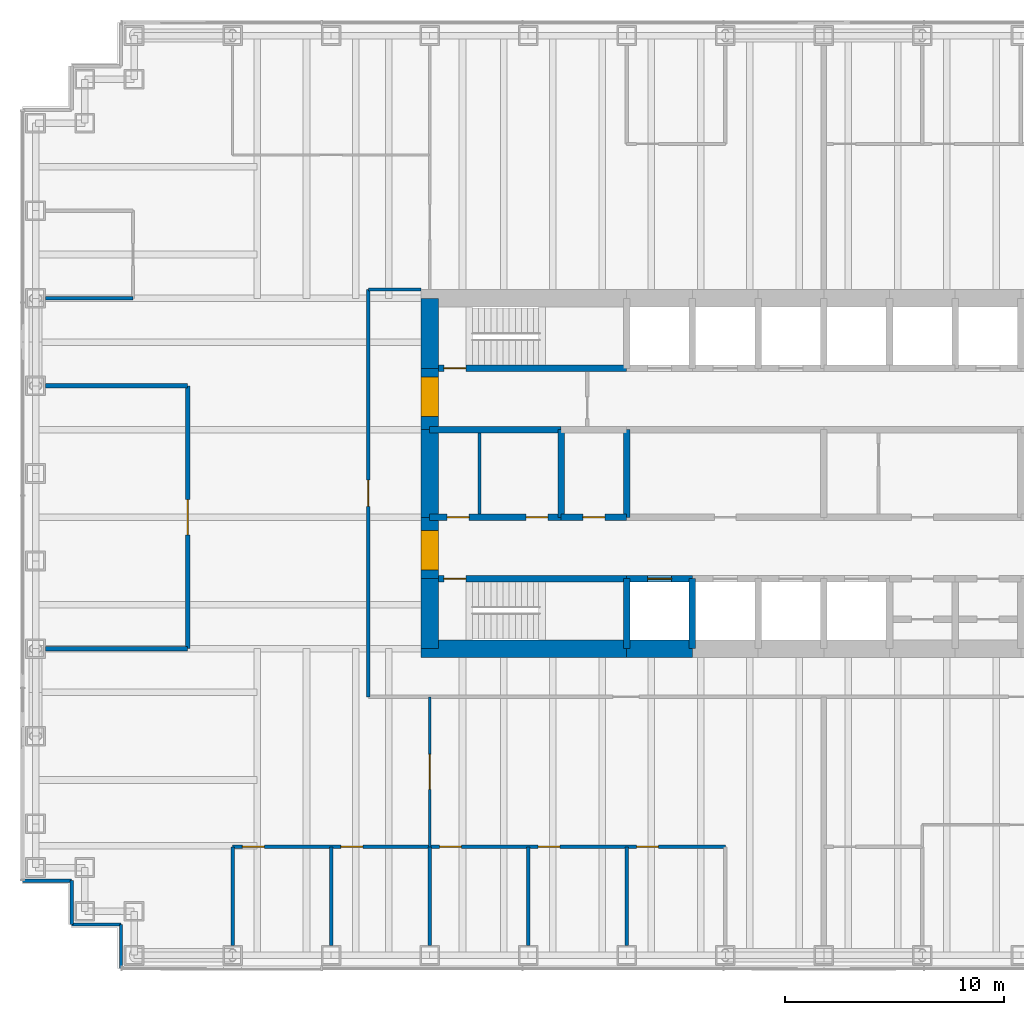
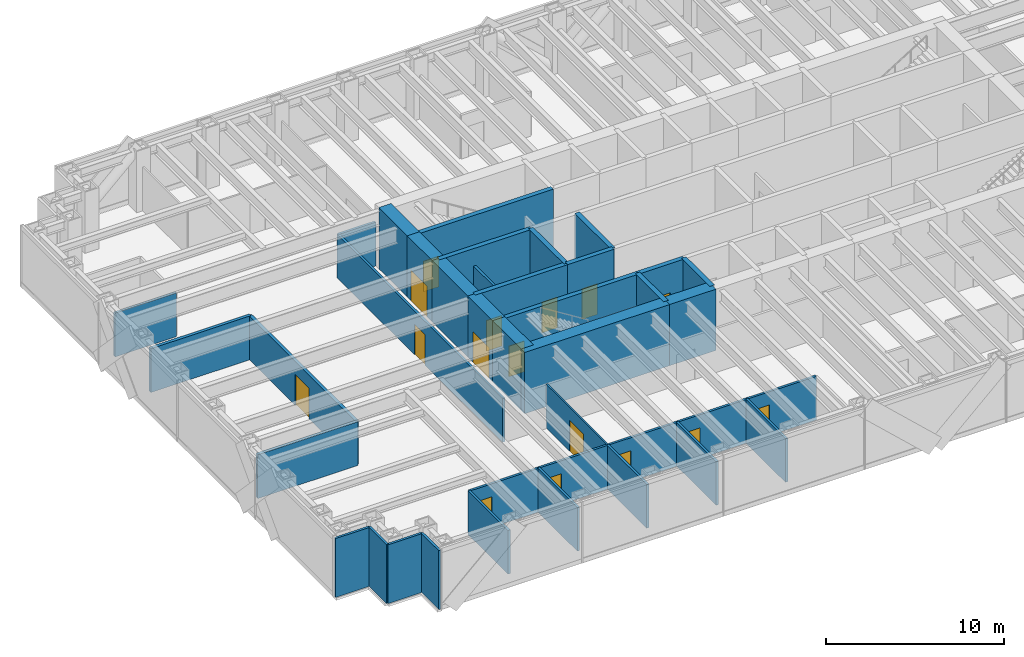
# One storey, part 14 of 18: 35 walls, 16 doors, 16 openings.
"""IFC4 building model written with IfcOpenShell, lengths in metres."""

import ifcopenshell
import ifcopenshell.guid

model = None  # the IFC model being written
_history = None  # IfcOwnerHistory: only IFC2X3 demands one
_inside = {}  # id of a spatial element -> (the spatial element, [elements in it])
_under = {}  # id of a project, library or spatial element -> (it, [spatial elements below it])
_declared = {}  # id of a project -> (the project, [libraries it declares])
_typed = {}  # id of a type object -> (the type object, [elements of that type])
_made_of = {}  # id of a material, layer set ... -> (it, [elements and type objects made of it])


def new_model(schema):
    """Start an empty IFC model of exactly this schema.

    Asked for "IFC4X3", IfcOpenShell would pick the latest addendum, in which some entities
    have other attributes; the version numbers below select the first issue.
    IFC2X3 requires an IfcOwnerHistory on every rooted entity: one is made here for all.
    """
    global model, _history
    if schema == "IFC4X3":
        model = ifcopenshell.file(schema_version=(4, 3, 0, 0))
    else:
        model = ifcopenshell.file(schema=schema)
    _inside.clear()
    _under.clear()
    _declared.clear()
    _typed.clear()
    _made_of.clear()
    _history = None
    if model.schema == "IFC2X3":
        org = make("IfcOrganization", Name="unknown")
        user = make(
            "IfcPersonAndOrganization",
            ThePerson=make("IfcPerson", FamilyName="unknown"),
            TheOrganization=org,
        )
        app = make(
            "IfcApplication",
            ApplicationDeveloper=org,
            Version="unknown",
            ApplicationFullName="unknown",
            ApplicationIdentifier="unknown",
        )
        _history = make(
            "IfcOwnerHistory",
            OwningUser=user,
            OwningApplication=app,
            ChangeAction="ADDED",
            CreationDate=0,
        )
    return model


def make(cls, **values):
    """One entity of the class cls with the attributes given. An attribute that is None is left unset."""
    return model.create_entity(
        cls, **{name: value for name, value in values.items() if value is not None}
    )


def rooted(cls, **values):
    """An entity with a GlobalId (a new one), such as an element, a storey or a relation."""
    return make(cls, GlobalId=ifcopenshell.guid.new(), OwnerHistory=_history, **values)


def si_unit(unit_type, name, prefix=None):
    """IfcSIUnit, for example si_unit("LENGTHUNIT", "METRE", prefix="MILLI")."""
    return make("IfcSIUnit", UnitType=unit_type, Prefix=prefix, Name=name)


def assignment(units):
    """IfcUnitAssignment: the units of a project."""
    return None if units is None else make("IfcUnitAssignment", Units=units)


def point(xyz):
    """IfcCartesianPoint."""
    return None if xyz is None else make("IfcCartesianPoint", Coordinates=xyz)


def direction(xyz):
    """IfcDirection."""
    return None if xyz is None else make("IfcDirection", DirectionRatios=xyz)


def frame(location, z_axis=None, x_axis=None):
    """IfcAxis2Placement3D, a coordinate frame: its origin and axes. An axis left out is left unset."""
    return make(
        "IfcAxis2Placement3D",
        Location=point(location),
        Axis=direction(z_axis),
        RefDirection=direction(x_axis),
    )


def frame_2d(location, x_axis=None):
    """IfcAxis2Placement2D, a coordinate frame in the plane: its origin and x axis."""
    return make(
        "IfcAxis2Placement2D", Location=point(location), RefDirection=direction(x_axis)
    )


def origin():
    """The frame at (0, 0, 0) with its axes left unset."""
    return frame((0.0, 0.0, 0.0))


def place(relative_to, where):
    """IfcLocalPlacement: puts the frame where relative to a parent placement (None: the world)."""
    return make(
        "IfcLocalPlacement", PlacementRelTo=relative_to, RelativePlacement=where
    )


def context(
    kind, dimensions, precision=None, world=None, true_north=None, identifier=None
):
    """IfcGeometricRepresentationContext, for example the 3D "Model" context."""
    return make(
        "IfcGeometricRepresentationContext",
        ContextIdentifier=identifier,
        ContextType=kind,
        CoordinateSpaceDimension=dimensions,
        Precision=precision,
        WorldCoordinateSystem=world,
        TrueNorth=true_north,
    )


def subcontext(parent, identifier, kind, view, scale=None):
    """IfcGeometricRepresentationSubContext, for example "Body" below "Model"."""
    return make(
        "IfcGeometricRepresentationSubContext",
        ContextIdentifier=identifier,
        ContextType=kind,
        ParentContext=parent,
        TargetScale=scale,
        TargetView=view,
    )


def project(units=None, contexts=None):
    """IfcProject with its units and contexts."""
    return rooted(
        "IfcProject",
        Name="project",
        RepresentationContexts=contexts,
        UnitsInContext=assignment(units),
    )


def spatial(cls, under=None, at=None, **own):
    """A site, building, storey or space (cls), placed at a placement, below another one or the project."""
    s = rooted(cls, ObjectPlacement=at, **own)
    if under is not None:
        _under.setdefault(under.id(), (under, []))[1].append(s)
    return s


def profile(cls, at=None, kind="AREA", **sizes):
    """A parametric profile (cls). Its sizes go by their IFC names, for example OverallWidth=200.0."""
    return make(cls, ProfileType=kind, Position=at, **sizes)


def rectangle(**sizes):
    """IfcRectangleProfileDef."""
    return profile("IfcRectangleProfileDef", **sizes)


def extrude(swept, where, along, depth):
    """IfcExtrudedAreaSolid: the profile swept, set in the frame where, extruded along a direction by depth."""
    return make(
        "IfcExtrudedAreaSolid",
        SweptArea=swept,
        Position=where,
        ExtrudedDirection=direction(along),
        Depth=depth,
    )


def shape(context_of_items, identifier, shape_type, items):
    """IfcShapeRepresentation: the items that make up one representation, for example the "Body"."""
    return make(
        "IfcShapeRepresentation",
        ContextOfItems=context_of_items,
        RepresentationIdentifier=identifier,
        RepresentationType=shape_type,
        Items=items,
    )


def material(Name=None, Category=None):
    """IfcMaterial."""
    return make("IfcMaterial", Name=Name, Category=Category)


def layer(
    of_material, thickness, ventilated=None, Name=None, Category=None, Priority=None
):
    """IfcMaterialLayer: one layer of a wall or slab, of a material (None: an air gap)."""
    return make(
        "IfcMaterialLayer",
        Material=of_material,
        LayerThickness=thickness,
        IsVentilated=ventilated,
        Name=Name,
        Category=Category,
        Priority=Priority,
    )


def layer_set(layers, Name=None):
    """IfcMaterialLayerSet."""
    return make("IfcMaterialLayerSet", MaterialLayers=layers, LayerSetName=Name)


def made_of(thing, what):
    """Note that an element or type object is made of a material, layer set ...; save() writes the relation."""
    if what is not None:
        _made_of.setdefault(what.id(), (what, []))[1].append(thing)
    return thing


def type_object(cls, material=None, **own):
    """A type object (cls), such as IfcWallType, which elements share."""
    return made_of(rooted(cls, **own), material)


def element(
    cls,
    number,
    at=None,
    inside=None,
    cuts=None,
    type_object=None,
    material=None,
    context=None,
    identifier="Body",
    shape_type=None,
    held_by="IfcProductDefinitionShape",
    body=None,
    shapes=None,
    **own,
):
    """One element of the class cls, such as IfcWall. Its Tag is "e" and its number.

    at: its placement. inside: the storey or other place that contains it. cuts: it is an
    opening in that element (IfcRelVoidsElement). A single representation is given by context,
    identifier, shape_type and body (its items); several are given by shapes. held_by: the class
    of the entity that holds the representations. save() writes the other relations.
    """
    e = rooted(cls, Tag="e%d" % number, ObjectPlacement=at, **own)
    if body is not None:
        shapes = [shape(context, identifier, shape_type, body)]
    if shapes is not None:
        e.Representation = make(held_by, Representations=shapes)
    if inside is not None:
        _inside.setdefault(inside.id(), (inside, []))[1].append(e)
    if cuts is not None:
        rooted(
            "IfcRelVoidsElement", RelatingBuildingElement=cuts, RelatedOpeningElement=e
        )
    if type_object is not None:
        _typed.setdefault(type_object.id(), (type_object, []))[1].append(e)
    return made_of(e, material)


def fill(opening, filler):
    """IfcRelFillsElement: the door or window that sits in an opening."""
    return rooted(
        "IfcRelFillsElement",
        RelatingOpeningElement=opening,
        RelatedBuildingElement=filler,
    )


def aggregate(whole, parts):
    """IfcRelAggregates: a whole, such as a stair, and the parts it consists of."""
    return rooted("IfcRelAggregates", RelatingObject=whole, RelatedObjects=parts)


def save(model, path):
    """Write the relations noted so far, then the file.

    IfcRelAggregates (storeys below a building ...), IfcRelContainedInSpatialStructure (elements
    in a storey), IfcRelDefinesByType, IfcRelAssociatesMaterial and IfcRelDeclares: one each for
    every whole, place, type object, material and project.
    """
    for whole, parts in _under.values():
        aggregate(whole, parts)
    for where, things in _inside.values():
        rooted(
            "IfcRelContainedInSpatialStructure",
            RelatedElements=things,
            RelatingStructure=where,
        )
    for kind, things in _typed.values():
        rooted("IfcRelDefinesByType", RelatedObjects=things, RelatingType=kind)
    for what, things in _made_of.values():
        rooted("IfcRelAssociatesMaterial", RelatedObjects=things, RelatingMaterial=what)
    for by, libraries in _declared.values():
        rooted("IfcRelDeclares", RelatingContext=by, RelatedDefinitions=libraries)
    model.write(path)


model = new_model("IFC4")

# Units and contexts
model_context = context("Model", 3, precision=1e-05, world=origin(), true_north=direction((0.0, 1.0)))
body_context = subcontext(model_context, "Body", "Model", "MODEL_VIEW")
ifc_project = project(units=[si_unit("LENGTHUNIT", "METRE"), si_unit("AREAUNIT", "SQUARE_METRE"), si_unit("VOLUMEUNIT", "CUBIC_METRE"), si_unit("PLANEANGLEUNIT", "RADIAN"), si_unit("MASSUNIT", "GRAM", prefix="KILO")], contexts=[model_context])

# Site, building, storey
site_placement = place(None, origin())
site = spatial("IfcSite", under=ifc_project, at=site_placement, CompositionType="ELEMENT")
building_placement = place(site_placement, origin())
building = spatial("IfcBuilding", under=site, at=building_placement, Name="Rheinbord Bourse Tower", CompositionType="ELEMENT")
storey_placement = place(building_placement, frame((0.0, 0.0, 244.60009765625)))
storey = spatial("IfcBuildingStorey", under=building, at=storey_placement, Name="L55", CompositionType="ELEMENT", Elevation=244.60009765625)

# Walls
ifc_material_1 = material(Name="Acoustic gypsum board partition", Category="gypsum board")
ifc_layer_1 = layer(ifc_material_1, 0.199951171875)
ifc_layer_set_1 = layer_set([ifc_layer_1], Name="ACOUSTIC PARTITION 200")
wall_type_1 = type_object("IfcWallType", Name="ACOUSTIC PARTITION 200", PredefinedType="PARTITIONING", material=ifc_layer_set_1)
for number, where, z_axis, x_axis, name in (
    (1, (0.449951171875, 16.0, 0.0), (0.0, 0.0, 1.0), (1.0, 0.0, 0.0), "Partition L55-06"),
    (2, (0.449951171875, 28.0, 0.0), (0.0, 0.0, 1.0), (1.0, 0.0, 0.0), "Partition L55-10"),
):
    element("IfcWall", number, at=place(storey_placement, frame(where, z_axis=z_axis, x_axis=x_axis)), inside=storey, type_object=wall_type_1, Name=name, PredefinedType="PARTITIONING", context=body_context, shape_type="SweptSolid", body=[
        extrude(rectangle(XDim=6.5, YDim=0.199951171875, at=frame_2d((3.25, 0.0))), origin(), (0.0, 0.0, 1.0), 3.0),
    ])

# Wall, opening, door
wall_1_placement = place(storey_placement, frame((6.949951171875, 16.0, 0.0), z_axis=(0.0, 0.0, 1.0), x_axis=(0.0, 1.0, 0.0)))
wall_1 = element("IfcWall", 3, at=wall_1_placement, inside=storey, type_object=wall_type_1, Name="Partition L55-20", PredefinedType="PARTITIONING", context=body_context, shape_type="SweptSolid", body=[
    extrude(rectangle(XDim=12.0, YDim=0.199951171875, at=frame_2d((6.0, 0.0))), origin(), (0.0, 0.0, 1.0), 3.0),
])
opening_1_placement = place(wall_1_placement, frame((5.199951171875, 0.0, 0.0)))
opening_1 = element("IfcOpeningElement", 4, at=opening_1_placement, cuts=wall_1, Name="Opening 55D10", PredefinedType="OPENING", context=body_context, shape_type="SweptSolid", body=[
    extrude(rectangle(XDim=1.60009765625, YDim=2.10009765625, at=frame_2d((0.800048828125, 1.050048828125))), frame((0.0, 0.10986328125, 0.0), z_axis=(0.0, -1.0, 0.0), x_axis=(1.0, 0.0, 0.0)), (0.0, 0.0, 1.0), 0.219970703125),
])
ifc_material_2 = material(Name="Timber door", Category="wood")
door_type_1 = type_object("IfcDoorType", Name="DOUBLE ROOM DOOR 1600", OperationType="DOUBLE_DOOR_DOUBLE_SWING", PredefinedType="DOOR", material=ifc_material_2)
door_1_placement = place(opening_1_placement, origin())
door_1 = element("IfcDoor", 5, at=door_1_placement, inside=storey, type_object=door_type_1, Name="Board room door L55", OperationType="SINGLE_SWING_LEFT", OverallHeight=2.10009765625, OverallWidth=1.60009765625, PredefinedType="DOOR", context=body_context, shape_type="SweptSolid", body=[
    extrude(rectangle(XDim=1.60009765625, YDim=2.10009765625, at=frame_2d((0.800048828125, 1.050048828125))), frame((0.0, 0.02490234375, 0.0), z_axis=(0.0, -1.0, 0.0), x_axis=(1.0, 0.0, 0.0)), (0.0, 0.0, 1.0), 0.050048828125),
])
fill(opening_1, door_1)

ifc_material_3 = material(Name="Concrete C50/60", Category="concrete")
ifc_layer_2 = layer(ifc_material_3, 0.300048828125)
ifc_layer_set_2 = layer_set([ifc_layer_2], Name="CORE INNER WALL 300")
wall_type_2 = type_object("IfcWallType", Name="CORE INNER WALL 300", PredefinedType="SOLIDWALL", material=ifc_layer_set_2)
wall_2_placement = place(storey_placement, frame((18.0, 19.199951171875, 0.0), z_axis=(0.0, 0.0, 1.0), x_axis=(1.0, 0.0, 0.0)))
wall_2 = element("IfcWall", 6, at=wall_2_placement, inside=storey, type_object=wall_type_2, Name="Core wall A1 L55", PredefinedType="SOLIDWALL", context=body_context, shape_type="SweptSolid", body=[
    extrude(rectangle(XDim=9.0, YDim=0.300048828125, at=frame_2d((4.5, 0.0))), origin(), (0.0, 0.0, 1.0), 4.199951171875),
])
opening_2_placement = place(wall_2_placement, frame((0.64990234375, 0.0, 0.0)))
opening_2 = element("IfcOpeningElement", 7, at=opening_2_placement, cuts=wall_2, Name="Opening 5510", PredefinedType="OPENING", context=body_context, shape_type="SweptSolid", body=[
    extrude(rectangle(XDim=1.0, YDim=2.10009765625, at=frame_2d((0.5, 1.050048828125))), frame((0.0, 0.159912109375, 0.0), z_axis=(0.0, -1.0, 0.0), x_axis=(1.0, 0.0, 0.0)), (0.0, 0.0, 1.0), 0.320068359375),
])
ifc_material_4 = material(Name="Steel door", Category="steel")
door_type_2 = type_object("IfcDoorType", Name="DOOR 1000 EI30", OperationType="SINGLE_SWING_LEFT", PredefinedType="DOOR", material=ifc_material_4)
door_2_placement = place(opening_2_placement, origin())
door_2 = element("IfcDoor", 8, at=door_2_placement, inside=storey, type_object=door_type_2, Name="Stair door ST1 L55", OperationType="SINGLE_SWING_LEFT", OverallHeight=2.10009765625, OverallWidth=1.0, PredefinedType="DOOR", context=body_context, shape_type="SweptSolid", body=[
    extrude(rectangle(XDim=1.0, YDim=2.10009765625, at=frame_2d((0.5, 1.050048828125))), frame((0.0, 0.02490234375, 0.0), z_axis=(0.0, -1.0, 0.0), x_axis=(1.0, 0.0, 0.0)), (0.0, 0.0, 1.0), 0.050048828125),
])
fill(opening_2, door_2)

wall_3_placement = place(storey_placement, frame((27.0, 19.199951171875, 0.0), z_axis=(0.0, 0.0, 1.0), x_axis=(1.0, 0.0, 0.0)))
wall_3 = element("IfcWall", 9, at=wall_3_placement, inside=storey, type_object=wall_type_2, Name="Core wall A2 L55", PredefinedType="SOLIDWALL", context=body_context, shape_type="SweptSolid", body=[
    extrude(rectangle(XDim=3.0, YDim=0.300048828125, at=frame_2d((1.5, 0.0))), origin(), (0.0, 0.0, 1.0), 4.199951171875),
])
opening_3_placement = place(wall_3_placement, frame((0.949951171875, 0.0, 0.0)))
opening_3 = element("IfcOpeningElement", 10, at=opening_3_placement, cuts=wall_3, Name="Opening FL1", PredefinedType="OPENING", context=body_context, shape_type="SweptSolid", body=[
    extrude(rectangle(XDim=1.10009765625, YDim=2.199951171875, at=frame_2d((0.550048828125, 1.10009765625))), frame((0.0, 0.159912109375, 0.0), z_axis=(0.0, -1.0, 0.0), x_axis=(1.0, 0.0, 0.0)), (0.0, 0.0, 1.0), 0.320068359375),
])
ifc_material_5 = material(Name="Steel landing door", Category="steel")
door_type_3 = type_object("IfcDoorType", Name="LIFT LANDING DOOR 1100", OperationType="DOUBLE_DOOR_SLIDING", PredefinedType="USERDEFINED", material=ifc_material_5)
door_3_placement = place(opening_3_placement, origin())
door_3 = element("IfcDoor", 11, at=door_3_placement, inside=storey, type_object=door_type_3, Name="Lift landing door FL1 L55", ObjectType="LIFT LANDING DOOR", OperationType="DOUBLE_DOOR_SLIDING", OverallHeight=2.199951171875, OverallWidth=1.10009765625, PredefinedType="USERDEFINED", context=body_context, shape_type="SweptSolid", body=[
    extrude(rectangle(XDim=1.10009765625, YDim=2.199951171875, at=frame_2d((0.550048828125, 1.10009765625))), frame((0.0, 0.02490234375, 0.0), z_axis=(0.0, -1.0, 0.0), x_axis=(1.0, 0.0, 0.0)), (0.0, 0.0, 1.0), 0.050048828125),
])
fill(opening_3, door_3)

wall_4_placement = place(storey_placement, frame((18.0, 28.800048828125, 0.0), z_axis=(0.0, 0.0, 1.0), x_axis=(1.0, 0.0, 0.0)))
wall_4 = element("IfcWall", 12, at=wall_4_placement, inside=storey, type_object=wall_type_2, Name="Core wall B1 L55", PredefinedType="SOLIDWALL", context=body_context, shape_type="SweptSolid", body=[
    extrude(rectangle(XDim=9.0, YDim=0.300048828125, at=frame_2d((4.5, 0.0))), origin(), (0.0, 0.0, 1.0), 4.199951171875),
])
opening_4_placement = place(wall_4_placement, frame((0.64990234375, 0.0, 0.0)))
opening_4 = element("IfcOpeningElement", 13, at=opening_4_placement, cuts=wall_4, Name="Opening 5520", PredefinedType="OPENING", context=body_context, shape_type="SweptSolid", body=[
    extrude(rectangle(XDim=1.0, YDim=2.10009765625, at=frame_2d((0.5, 1.050048828125))), frame((0.0, 0.159912109375, 0.0), z_axis=(0.0, -1.0, 0.0), x_axis=(1.0, 0.0, 0.0)), (0.0, 0.0, 1.0), 0.320068359375),
])
door_4_placement = place(opening_4_placement, origin())
door_4 = element("IfcDoor", 14, at=door_4_placement, inside=storey, type_object=door_type_2, Name="Stair door ST2 L55", OperationType="SINGLE_SWING_LEFT", OverallHeight=2.10009765625, OverallWidth=1.0, PredefinedType="DOOR", context=body_context, shape_type="SweptSolid", body=[
    extrude(rectangle(XDim=1.0, YDim=2.10009765625, at=frame_2d((0.5, 1.050048828125))), frame((0.0, 0.02490234375, 0.0), z_axis=(0.0, -1.0, 0.0), x_axis=(1.0, 0.0, 0.0)), (0.0, 0.0, 1.0), 0.050048828125),
])
fill(opening_4, door_4)

# Wall, openings, doors
wall_5_placement = place(storey_placement, frame((18.0, 22.0, 0.0), z_axis=(0.0, 0.0, 1.0), x_axis=(1.0, 0.0, 0.0)))
wall_5 = element("IfcWall", 15, at=wall_5_placement, inside=storey, type_object=wall_type_2, Name="Core wall C1 L55", PredefinedType="SOLIDWALL", context=body_context, shape_type="SweptSolid", body=[
    extrude(rectangle(XDim=6.0, YDim=0.300048828125, at=frame_2d((3.0, 0.0))), origin(), (0.0, 0.0, 1.0), 4.199951171875),
])
opening_5_placement = place(wall_5_placement, frame((4.39990234375, 0.0, 0.0)))
opening_5 = element("IfcOpeningElement", 16, at=opening_5_placement, cuts=wall_5, Name="Opening 55R1", PredefinedType="OPENING", context=body_context, shape_type="SweptSolid", body=[
    extrude(rectangle(XDim=1.0, YDim=2.10009765625, at=frame_2d((0.5, 1.050048828125))), frame((0.0, 0.159912109375, 0.0), z_axis=(0.0, -1.0, 0.0), x_axis=(1.0, 0.0, 0.0)), (0.0, 0.0, 1.0), 0.320068359375),
])
opening_6_placement = place(wall_5_placement, frame((0.800048828125, 0.0, 0.0)))
opening_6 = element("IfcOpeningElement", 17, at=opening_6_placement, cuts=wall_5, Name="Opening 55R9", PredefinedType="OPENING", context=body_context, shape_type="SweptSolid", body=[
    extrude(rectangle(XDim=1.0, YDim=2.10009765625, at=frame_2d((0.5, 1.050048828125))), frame((0.0, 0.159912109375, 0.0), z_axis=(0.0, -1.0, 0.0), x_axis=(1.0, 0.0, 0.0)), (0.0, 0.0, 1.0), 0.320068359375),
])
door_5_placement = place(opening_6_placement, origin())
door_5 = element("IfcDoor", 18, at=door_5_placement, inside=storey, type_object=door_type_2, Name="Staff shower door L55", OperationType="SINGLE_SWING_LEFT", OverallHeight=2.10009765625, OverallWidth=1.0, PredefinedType="DOOR", context=body_context, shape_type="SweptSolid", body=[
    extrude(rectangle(XDim=1.0, YDim=2.10009765625, at=frame_2d((0.5, 1.050048828125))), frame((0.0, 0.02490234375, 0.0), z_axis=(0.0, -1.0, 0.0), x_axis=(1.0, 0.0, 0.0)), (0.0, 0.0, 1.0), 0.050048828125),
])
fill(opening_6, door_5)
ifc_material_6 = material(Name="Timber door", Category="wood")
door_type_4 = type_object("IfcDoorType", Name="DOOR 1000 WC", OperationType="SINGLE_SWING_LEFT", PredefinedType="DOOR", material=ifc_material_6)
door_6_placement = place(opening_5_placement, origin())
door_6 = element("IfcDoor", 19, at=door_6_placement, inside=storey, type_object=door_type_4, Name="WC men door L55", OperationType="SINGLE_SWING_RIGHT", OverallHeight=2.10009765625, OverallWidth=1.0, PredefinedType="DOOR", context=body_context, shape_type="SweptSolid", body=[
    extrude(rectangle(XDim=1.0, YDim=2.10009765625, at=frame_2d((0.5, 1.050048828125))), frame((0.0, 0.02490234375, 0.0), z_axis=(0.0, -1.0, 0.0), x_axis=(1.0, 0.0, 0.0)), (0.0, 0.0, 1.0), 0.050048828125),
])
fill(opening_5, door_6)

# Wall, opening, door
wall_6_placement = place(storey_placement, frame((24.0, 22.0, 0.0), z_axis=(0.0, 0.0, 1.0), x_axis=(1.0, 0.0, 0.0)))
wall_6 = element("IfcWall", 20, at=wall_6_placement, inside=storey, type_object=wall_type_2, Name="Core wall C2 L55", PredefinedType="SOLIDWALL", context=body_context, shape_type="SweptSolid", body=[
    extrude(rectangle(XDim=3.0, YDim=0.300048828125, at=frame_2d((1.5, 0.0))), origin(), (0.0, 0.0, 1.0), 4.199951171875),
])
opening_7_placement = place(wall_6_placement, frame((1.0, 0.0, 0.0)))
opening_7 = element("IfcOpeningElement", 21, at=opening_7_placement, cuts=wall_6, Name="Opening 55R2", PredefinedType="OPENING", context=body_context, shape_type="SweptSolid", body=[
    extrude(rectangle(XDim=1.0, YDim=2.10009765625, at=frame_2d((0.5, 1.050048828125))), frame((0.0, 0.159912109375, 0.0), z_axis=(0.0, -1.0, 0.0), x_axis=(1.0, 0.0, 0.0)), (0.0, 0.0, 1.0), 0.320068359375),
])
door_7_placement = place(opening_7_placement, origin())
door_7 = element("IfcDoor", 22, at=door_7_placement, inside=storey, type_object=door_type_4, Name="Accessible WC door L55", OperationType="SINGLE_SWING_LEFT", OverallHeight=2.10009765625, OverallWidth=1.0, PredefinedType="DOOR", context=body_context, shape_type="SweptSolid", body=[
    extrude(rectangle(XDim=1.0, YDim=2.10009765625, at=frame_2d((0.5, 1.050048828125))), frame((0.0, 0.02490234375, 0.0), z_axis=(0.0, -1.0, 0.0), x_axis=(1.0, 0.0, 0.0)), (0.0, 0.0, 1.0), 0.050048828125),
])
fill(opening_7, door_7)

# Walls
wall_7_placement = place(storey_placement, frame((18.0, 26.0, 0.0), z_axis=(0.0, 0.0, 1.0), x_axis=(1.0, 0.0, 0.0)))
element("IfcWall", 23, at=wall_7_placement, inside=storey, type_object=wall_type_2, Name="Core wall D1 L55", PredefinedType="SOLIDWALL", context=body_context, shape_type="SweptSolid", body=[
    extrude(rectangle(XDim=6.0, YDim=0.300048828125, at=frame_2d((3.0, 0.0))), origin(), (0.0, 0.0, 1.0), 4.199951171875),
])
for number, where, z_axis, x_axis, name in (
    (24, (27.0, 16.0, 0.0), (0.0, 0.0, 1.0), (0.0, 1.0, 0.0), "Core wall SX27 L55"),
    (25, (30.0, 16.0, 0.0), (0.0, 0.0, 1.0), (0.0, 1.0, 0.0), "Core wall SX30 L55"),
):
    element("IfcWall", number, at=place(storey_placement, frame(where, z_axis=z_axis, x_axis=x_axis)), inside=storey, type_object=wall_type_2, Name=name, PredefinedType="SOLIDWALL", context=body_context, shape_type="SweptSolid", body=[
        extrude(rectangle(XDim=3.199951171875, YDim=0.300048828125, at=frame_2d((1.60009765625, 0.0))), origin(), (0.0, 0.0, 1.0), 4.199951171875),
    ])
for number, where, z_axis, x_axis, name in (
    (26, (24.0, 22.0, 0.0), (0.0, 0.0, 1.0), (0.0, 1.0, 0.0), "Core wall MX24 L55"),
    (27, (27.0, 22.0, 0.0), (0.0, 0.0, 1.0), (0.0, 1.0, 0.0), "Core wall MX27 L55"),
):
    element("IfcWall", number, at=place(storey_placement, frame(where, z_axis=z_axis, x_axis=x_axis)), inside=storey, type_object=wall_type_2, Name=name, PredefinedType="SOLIDWALL", context=body_context, shape_type="SweptSolid", body=[
        extrude(rectangle(XDim=4.0, YDim=0.300048828125, at=frame_2d((2.0, 0.0))), origin(), (0.0, 0.0, 1.0), 4.199951171875),
    ])
ifc_material_7 = material(Name="Gypsum board fire partition", Category="gypsum board")
ifc_layer_3 = layer(ifc_material_7, 0.14990234375)
ifc_layer_set_3 = layer_set([ifc_layer_3], Name="CORE PARTITION 150 EI30")
wall_type_3 = type_object("IfcWallType", Name="CORE PARTITION 150 EI30", PredefinedType="PARTITIONING", material=ifc_layer_set_3)
wall_8_placement = place(storey_placement, frame((20.27490234375, 22.14990234375, 0.0), z_axis=(0.0, 0.0, 1.0), x_axis=(0.0, 1.0, 0.0)))
element("IfcWall", 28, at=wall_8_placement, inside=storey, type_object=wall_type_3, Name="Core partition L55-2", PredefinedType="PARTITIONING", context=body_context, shape_type="SweptSolid", body=[
    extrude(rectangle(XDim=3.7001953125, YDim=0.14990234375, at=frame_2d((1.85009765625, 0.0))), origin(), (0.0, 0.0, 1.0), 3.0),
])
ifc_material_8 = material(Name="Concrete C50/60", Category="concrete")
ifc_layer_4 = layer(ifc_material_8, 0.800048828125)
ifc_layer_set_4 = layer_set([ifc_layer_4], Name="CORE WALL 800")
wall_type_4 = type_object("IfcWallType", Name="CORE WALL 800", PredefinedType="SHEAR", material=ifc_layer_set_4)
wall_9_placement = place(storey_placement, frame((17.60009765625, 16.0, 0.0), z_axis=(0.0, 0.0, 1.0), x_axis=(1.0, 0.0, 0.0)))
element("IfcWall", 29, at=wall_9_placement, inside=storey, type_object=wall_type_4, Name="Core wall S1 L55", PredefinedType="SHEAR", context=body_context, shape_type="SweptSolid", body=[
    extrude(rectangle(XDim=9.39990234375, YDim=0.800048828125, at=frame_2d((4.699951171875, 0.0))), origin(), (0.0, 0.0, 1.0), 4.199951171875),
])
wall_10_placement = place(storey_placement, frame((27.0, 16.0, 0.0), z_axis=(0.0, 0.0, 1.0), x_axis=(1.0, 0.0, 0.0)))
element("IfcWall", 30, at=wall_10_placement, inside=storey, type_object=wall_type_4, Name="Core wall S2 L55", PredefinedType="SHEAR", context=body_context, shape_type="SweptSolid", body=[
    extrude(rectangle(XDim=3.0, YDim=0.800048828125, at=frame_2d((1.5, 0.0))), origin(), (0.0, 0.0, 1.0), 4.199951171875),
])
wall_11_placement = place(storey_placement, frame((18.0, 32.0, 0.0), z_axis=(0.0, 0.0, 1.0), x_axis=(0.0, -1.0, 0.0)))
element("IfcWall", 31, at=wall_11_placement, inside=storey, type_object=wall_type_4, Name="Core wall W1 L55", PredefinedType="SHEAR", context=body_context, shape_type="SweptSolid", body=[
    extrude(rectangle(XDim=3.199951171875, YDim=0.800048828125, at=frame_2d((1.60009765625, 0.0))), origin(), (0.0, 0.0, 1.0), 4.199951171875),
])

# Wall, opening, door
wall_12_placement = place(storey_placement, frame((18.0, 28.800048828125, 0.0), z_axis=(0.0, 0.0, 1.0), x_axis=(0.0, -1.0, 0.0)))
wall_12 = element("IfcWall", 32, at=wall_12_placement, inside=storey, type_object=wall_type_4, Name="Core wall W2 L55", PredefinedType="SHEAR", context=body_context, shape_type="SweptSolid", body=[
    extrude(rectangle(XDim=2.800048828125, YDim=0.800048828125, at=frame_2d((1.39990234375, 0.0))), origin(), (0.0, 0.0, 1.0), 4.199951171875),
])
opening_8_placement = place(wall_12_placement, frame((0.39990234375, 0.0, 0.0)))
opening_8 = element("IfcOpeningElement", 33, at=opening_8_placement, cuts=wall_12, Name="Opening 55L2", PredefinedType="OPENING", context=body_context, shape_type="SweptSolid", body=[
    extrude(rectangle(XDim=1.800048828125, YDim=2.10009765625, at=frame_2d((0.89990234375, 1.050048828125))), frame((0.0, 0.409912109375, 0.0), z_axis=(0.0, -1.0, 0.0), x_axis=(1.0, 0.0, 0.0)), (0.0, 0.0, 1.0), 0.820068359375),
])
ifc_material_9 = material(Name="Steel door", Category="steel")
door_type_5 = type_object("IfcDoorType", Name="DOOR 1800 EI30 DOUBLE", OperationType="DOUBLE_DOOR_DOUBLE_SWING", PredefinedType="DOOR", material=ifc_material_9)
door_8_placement = place(opening_8_placement, origin())
door_8 = element("IfcDoor", 34, at=door_8_placement, inside=storey, type_object=door_type_5, Name="Lobby door 2 L55", OperationType="SINGLE_SWING_LEFT", OverallHeight=2.10009765625, OverallWidth=1.800048828125, PredefinedType="DOOR", context=body_context, shape_type="SweptSolid", body=[
    extrude(rectangle(XDim=1.800048828125, YDim=2.10009765625, at=frame_2d((0.89990234375, 1.050048828125))), frame((0.0, 0.39990234375, 0.0), z_axis=(0.0, -1.0, 0.0), x_axis=(1.0, 0.0, 0.0)), (0.0, 0.0, 1.0), 0.799560546875),
])
fill(opening_8, door_8)

# Wall
wall_13_placement = place(storey_placement, frame((18.0, 26.0, 0.0), z_axis=(0.0, 0.0, 1.0), x_axis=(0.0, -1.0, 0.0)))
element("IfcWall", 35, at=wall_13_placement, inside=storey, type_object=wall_type_4, Name="Core wall W3 L55", PredefinedType="SHEAR", context=body_context, shape_type="SweptSolid", body=[
    extrude(rectangle(XDim=4.0, YDim=0.800048828125, at=frame_2d((2.0, 0.0))), origin(), (0.0, 0.0, 1.0), 4.199951171875),
])

# Wall, opening, door
wall_14_placement = place(storey_placement, frame((18.0, 22.0, 0.0), z_axis=(0.0, 0.0, 1.0), x_axis=(0.0, -1.0, 0.0)))
wall_14 = element("IfcWall", 36, at=wall_14_placement, inside=storey, type_object=wall_type_4, Name="Core wall W4 L55", PredefinedType="SHEAR", context=body_context, shape_type="SweptSolid", body=[
    extrude(rectangle(XDim=2.800048828125, YDim=0.800048828125, at=frame_2d((1.39990234375, 0.0))), origin(), (0.0, 0.0, 1.0), 4.199951171875),
])
opening_9_placement = place(wall_14_placement, frame((0.60009765625, 0.0, 0.0)))
opening_9 = element("IfcOpeningElement", 37, at=opening_9_placement, cuts=wall_14, Name="Opening 55L1", PredefinedType="OPENING", context=body_context, shape_type="SweptSolid", body=[
    extrude(rectangle(XDim=1.800048828125, YDim=2.10009765625, at=frame_2d((0.89990234375, 1.050048828125))), frame((0.0, 0.409912109375, 0.0), z_axis=(0.0, -1.0, 0.0), x_axis=(1.0, 0.0, 0.0)), (0.0, 0.0, 1.0), 0.820068359375),
])
door_9_placement = place(opening_9_placement, origin())
door_9 = element("IfcDoor", 38, at=door_9_placement, inside=storey, type_object=door_type_5, Name="Lobby door 1 L55", OperationType="SINGLE_SWING_LEFT", OverallHeight=2.10009765625, OverallWidth=1.800048828125, PredefinedType="DOOR", context=body_context, shape_type="SweptSolid", body=[
    extrude(rectangle(XDim=1.800048828125, YDim=2.10009765625, at=frame_2d((0.89990234375, 1.050048828125))), frame((0.0, 0.39990234375, 0.0), z_axis=(0.0, -1.0, 0.0), x_axis=(1.0, 0.0, 0.0)), (0.0, 0.0, 1.0), 0.799560546875),
])
fill(opening_9, door_9)

# Walls
wall_15_placement = place(storey_placement, frame((18.0, 19.199951171875, 0.0), z_axis=(0.0, 0.0, 1.0), x_axis=(0.0, -1.0, 0.0)))
element("IfcWall", 39, at=wall_15_placement, inside=storey, type_object=wall_type_4, Name="Core wall W5 L55", PredefinedType="SHEAR", context=body_context, shape_type="SweptSolid", body=[
    extrude(rectangle(XDim=3.199951171875, YDim=0.800048828125, at=frame_2d((1.60009765625, 0.0))), origin(), (0.0, 0.0, 1.0), 4.199951171875),
])
ifc_material_10 = material(Name="Black metal rainscreen panel", Category="aluminium")
ifc_layer_5 = layer(ifc_material_10, 0.14990234375)
ifc_layer_set_5 = layer_set([ifc_layer_5], Name="CORNER PIER CLADDING 150")
wall_type_5 = type_object("IfcWallType", Name="CORNER PIER CLADDING 150", PredefinedType="ELEMENTEDWALL", material=ifc_layer_set_5)
wall_16_placement = place(storey_placement, frame((-0.60009765625, 5.39990234375, 0.0), z_axis=(0.0, 0.0, 1.0), x_axis=(1.0, 0.0, 0.0)))
element("IfcWall", 40, at=wall_16_placement, inside=storey, type_object=wall_type_5, Name="Corner pier cladding L55 17", PredefinedType="ELEMENTEDWALL", context=body_context, shape_type="SweptSolid", body=[
    extrude(rectangle(XDim=2.25, YDim=0.14990234375, at=frame_2d((1.125, 0.0))), origin(), (0.0, 0.0, 1.0), 4.039794921875),
])
wall_17_placement = place(storey_placement, frame((1.64990234375, 5.39990234375, 0.0), z_axis=(0.0, 0.0, 1.0), x_axis=(0.0, -1.0, 0.0)))
element("IfcWall", 41, at=wall_17_placement, inside=storey, type_object=wall_type_5, Name="Corner pier cladding L55 18", PredefinedType="ELEMENTEDWALL", context=body_context, shape_type="SweptSolid", body=[
    extrude(rectangle(XDim=2.0, YDim=0.14990234375, at=frame_2d((1.0, 0.0))), origin(), (0.0, 0.0, 1.0), 4.039794921875),
])
wall_18_placement = place(storey_placement, frame((1.64990234375, 3.39990234375, 0.0), z_axis=(0.0, 0.0, 1.0), x_axis=(1.0, 0.0, 0.0)))
element("IfcWall", 42, at=wall_18_placement, inside=storey, type_object=wall_type_5, Name="Corner pier cladding L55 19", PredefinedType="ELEMENTEDWALL", context=body_context, shape_type="SweptSolid", body=[
    extrude(rectangle(XDim=2.25, YDim=0.14990234375, at=frame_2d((1.125, 0.0))), origin(), (0.0, 0.0, 1.0), 4.039794921875),
])
wall_19_placement = place(storey_placement, frame((3.89990234375, 3.39990234375, 0.0), z_axis=(0.0, 0.0, 1.0), x_axis=(0.0, -1.0, 0.0)))
element("IfcWall", 43, at=wall_19_placement, inside=storey, type_object=wall_type_5, Name="Corner pier cladding L55 20", PredefinedType="ELEMENTEDWALL", context=body_context, shape_type="SweptSolid", body=[
    extrude(rectangle(XDim=2.0, YDim=0.14990234375, at=frame_2d((1.0, 0.0))), origin(), (0.0, 0.0, 1.0), 4.039794921875),
])
ifc_material_11 = material(Name="Gypsum board corridor partition", Category="gypsum board")
ifc_layer_6 = layer(ifc_material_11, 0.14990234375)
ifc_layer_set_6 = layer_set([ifc_layer_6], Name="CORRIDOR PARTITION 150 EI30")
wall_type_6 = type_object("IfcWallType", Name="CORRIDOR PARTITION 150 EI30", PredefinedType="PARTITIONING", material=ifc_layer_set_6)
wall_20_placement = place(storey_placement, frame((15.199951171875, 32.39990234375, 0.0), z_axis=(0.0, 0.0, 1.0), x_axis=(1.0, 0.0, 0.0)))
element("IfcWall", 44, at=wall_20_placement, inside=storey, type_object=wall_type_6, Name="Partition L55-13", PredefinedType="PARTITIONING", context=body_context, shape_type="SweptSolid", body=[
    extrude(rectangle(XDim=2.400146484375, YDim=0.14990234375, at=frame_2d((1.2001953125, 0.0))), origin(), (0.0, 0.0, 1.0), 3.0),
])

# Wall, opening, door
wall_21_placement = place(storey_placement, frame((15.199951171875, 13.800048828125, 0.0), z_axis=(0.0, 0.0, 1.0), x_axis=(0.0, 1.0, 0.0)))
wall_21 = element("IfcWall", 45, at=wall_21_placement, inside=storey, type_object=wall_type_6, Name="Partition L55-24", PredefinedType="PARTITIONING", context=body_context, shape_type="SweptSolid", body=[
    extrude(rectangle(XDim=18.599853515625, YDim=0.14990234375, at=frame_2d((9.2998046875, 0.0))), origin(), (0.0, 0.0, 1.0), 3.0),
])
opening_10_placement = place(wall_21_placement, frame((8.699951171875, 0.0, 0.0)))
opening_10 = element("IfcOpeningElement", 46, at=opening_10_placement, cuts=wall_21, Name="Opening 55D24", PredefinedType="OPENING", context=body_context, shape_type="SweptSolid", body=[
    extrude(rectangle(XDim=1.199951171875, YDim=2.10009765625, at=frame_2d((0.60009765625, 1.050048828125))), frame((0.0, 0.0849609375, 0.0), z_axis=(0.0, -1.0, 0.0), x_axis=(1.0, 0.0, 0.0)), (0.0, 0.0, 1.0), 0.169921875),
])
ifc_material_12 = material(Name="Timber fire door", Category="wood")
door_type_6 = type_object("IfcDoorType", Name="SUITE ENTRANCE DOOR 1200 EI30", OperationType="SINGLE_SWING_LEFT", PredefinedType="DOOR", material=ifc_material_12)
door_10_placement = place(opening_10_placement, origin())
door_10 = element("IfcDoor", 47, at=door_10_placement, inside=storey, type_object=door_type_6, Name="Suite entrance 1 door L55", OperationType="SINGLE_SWING_LEFT", OverallHeight=2.10009765625, OverallWidth=1.199951171875, PredefinedType="DOOR", context=body_context, shape_type="SweptSolid", body=[
    extrude(rectangle(XDim=1.199951171875, YDim=2.10009765625, at=frame_2d((0.60009765625, 1.050048828125))), frame((0.0, 0.02490234375, 0.0), z_axis=(0.0, -1.0, 0.0), x_axis=(1.0, 0.0, 0.0)), (0.0, 0.0, 1.0), 0.050048828125),
])
fill(opening_10, door_10)

# Wall
ifc_material_13 = material(Name="Gypsum board fire partition", Category="gypsum board")
ifc_layer_7 = layer(ifc_material_13, 0.14990234375)
ifc_layer_set_7 = layer_set([ifc_layer_7], Name="FIRE PARTITION 150 EI60")
wall_type_7 = type_object("IfcWallType", Name="FIRE PARTITION 150 EI60", PredefinedType="PARTITIONING", material=ifc_layer_set_7)
wall_22_placement = place(storey_placement, frame((0.449951171875, 32.0, 0.0), z_axis=(0.0, 0.0, 1.0), x_axis=(1.0, 0.0, 0.0)))
element("IfcWall", 48, at=wall_22_placement, inside=storey, type_object=wall_type_7, Name="Partition L55-11", PredefinedType="PARTITIONING", context=body_context, shape_type="SweptSolid", body=[
    extrude(rectangle(XDim=4.0, YDim=0.14990234375, at=frame_2d((2.0, 0.0))), origin(), (0.0, 0.0, 1.0), 3.0),
])

# Wall, opening, door
ifc_material_14 = material(Name="Toughened laminated glass partition", Category="glass")
ifc_layer_8 = layer(ifc_material_14, 0.10009765625)
ifc_layer_set_8 = layer_set([ifc_layer_8], Name="GLAZED PARTITION 100")
wall_type_8 = type_object("IfcWallType", Name="GLAZED PARTITION 100", PredefinedType="PARTITIONING", material=ifc_layer_set_8)
wall_23_placement = place(storey_placement, frame((18.0, 6.949951171875, 0.0), z_axis=(0.0, 0.0, 1.0), x_axis=(0.0, 1.0, 0.0)))
wall_23 = element("IfcWall", 49, at=wall_23_placement, inside=storey, type_object=wall_type_8, Name="Partition L55-26", PredefinedType="PARTITIONING", context=body_context, shape_type="SweptSolid", body=[
    extrude(rectangle(XDim=6.85009765625, YDim=0.10009765625, at=frame_2d((3.425048828125, 0.0))), origin(), (0.0, 0.0, 1.0), 3.0),
])
opening_11_placement = place(wall_23_placement, frame((2.625, 0.0, 0.0)))
opening_11 = element("IfcOpeningElement", 50, at=opening_11_placement, cuts=wall_23, Name="Opening 55D20", PredefinedType="OPENING", context=body_context, shape_type="SweptSolid", body=[
    extrude(rectangle(XDim=1.60009765625, YDim=2.10009765625, at=frame_2d((0.800048828125, 1.050048828125))), frame((0.0, 0.06005859375, 0.0), z_axis=(0.0, -1.0, 0.0), x_axis=(1.0, 0.0, 0.0)), (0.0, 0.0, 1.0), 0.1201171875),
])
door_11_placement = place(opening_11_placement, origin())
door_11 = element("IfcDoor", 51, at=door_11_placement, inside=storey, type_object=door_type_1, Name="Open area door L55", OperationType="SINGLE_SWING_LEFT", OverallHeight=2.10009765625, OverallWidth=1.60009765625, PredefinedType="DOOR", context=body_context, shape_type="SweptSolid", body=[
    extrude(rectangle(XDim=1.60009765625, YDim=2.10009765625, at=frame_2d((0.800048828125, 1.050048828125))), frame((0.0, 0.02490234375, 0.0), z_axis=(0.0, -1.0, 0.0), x_axis=(1.0, 0.0, 0.0)), (0.0, 0.0, 1.0), 0.050048828125),
])
fill(opening_11, door_11)

# Wall, openings, doors
ifc_material_15 = material(Name="Gypsum board partition", Category="gypsum board")
ifc_layer_9 = layer(ifc_material_15, 0.14990234375)
ifc_layer_set_9 = layer_set([ifc_layer_9], Name="PARTITION 150")
wall_type_9 = type_object("IfcWallType", Name="PARTITION 150", PredefinedType="PARTITIONING", material=ifc_layer_set_9)
wall_24_placement = place(storey_placement, frame((9.0, 6.949951171875, 0.0), z_axis=(0.0, 0.0, 1.0), x_axis=(1.0, 0.0, 0.0)))
wall_24 = element("IfcWall", 52, at=wall_24_placement, inside=storey, type_object=wall_type_9, Name="Partition L55-01", PredefinedType="PARTITIONING", context=body_context, shape_type="SweptSolid", body=[
    extrude(rectangle(XDim=22.5, YDim=0.14990234375, at=frame_2d((11.25, 0.0))), origin(), (0.0, 0.0, 1.0), 3.0),
])
opening_12_placement = place(wall_24_placement, frame((0.449951171875, 0.0, 0.0)))
opening_12 = element("IfcOpeningElement", 53, at=opening_12_placement, cuts=wall_24, Name="Opening 55D01", PredefinedType="OPENING", context=body_context, shape_type="SweptSolid", body=[
    extrude(rectangle(XDim=1.0, YDim=2.10009765625, at=frame_2d((0.5, 1.050048828125))), frame((0.0, 0.0849609375, 0.0), z_axis=(0.0, -1.0, 0.0), x_axis=(1.0, 0.0, 0.0)), (0.0, 0.0, 1.0), 0.169921875),
])
opening_13_placement = place(wall_24_placement, frame((4.949951171875, 0.0, 0.0)))
opening_13 = element("IfcOpeningElement", 54, at=opening_13_placement, cuts=wall_24, Name="Opening 55D02", PredefinedType="OPENING", context=body_context, shape_type="SweptSolid", body=[
    extrude(rectangle(XDim=1.0, YDim=2.10009765625, at=frame_2d((0.5, 1.050048828125))), frame((0.0, 0.0849609375, 0.0), z_axis=(0.0, -1.0, 0.0), x_axis=(1.0, 0.0, 0.0)), (0.0, 0.0, 1.0), 0.169921875),
])
opening_14_placement = place(wall_24_placement, frame((9.449951171875, 0.0, 0.0)))
opening_14 = element("IfcOpeningElement", 55, at=opening_14_placement, cuts=wall_24, Name="Opening 55D03", PredefinedType="OPENING", context=body_context, shape_type="SweptSolid", body=[
    extrude(rectangle(XDim=1.0, YDim=2.10009765625, at=frame_2d((0.5, 1.050048828125))), frame((0.0, 0.0849609375, 0.0), z_axis=(0.0, -1.0, 0.0), x_axis=(1.0, 0.0, 0.0)), (0.0, 0.0, 1.0), 0.169921875),
])
opening_15_placement = place(wall_24_placement, frame((13.949951171875, 0.0, 0.0)))
opening_15 = element("IfcOpeningElement", 56, at=opening_15_placement, cuts=wall_24, Name="Opening 55D04", PredefinedType="OPENING", context=body_context, shape_type="SweptSolid", body=[
    extrude(rectangle(XDim=1.0, YDim=2.10009765625, at=frame_2d((0.5, 1.050048828125))), frame((0.0, 0.0849609375, 0.0), z_axis=(0.0, -1.0, 0.0), x_axis=(1.0, 0.0, 0.0)), (0.0, 0.0, 1.0), 0.169921875),
])
opening_16_placement = place(wall_24_placement, frame((18.449951171875, 0.0, 0.0)))
opening_16 = element("IfcOpeningElement", 57, at=opening_16_placement, cuts=wall_24, Name="Opening 55D05", PredefinedType="OPENING", context=body_context, shape_type="SweptSolid", body=[
    extrude(rectangle(XDim=1.0, YDim=2.10009765625, at=frame_2d((0.5, 1.050048828125))), frame((0.0, 0.0849609375, 0.0), z_axis=(0.0, -1.0, 0.0), x_axis=(1.0, 0.0, 0.0)), (0.0, 0.0, 1.0), 0.169921875),
])
ifc_material_16 = material(Name="Timber door", Category="wood")
door_type_7 = type_object("IfcDoorType", Name="ROOM DOOR 1000", OperationType="SINGLE_SWING_LEFT", PredefinedType="DOOR", material=ifc_material_16)
door_12_placement = place(opening_12_placement, origin())
door_12 = element("IfcDoor", 58, at=door_12_placement, inside=storey, type_object=door_type_7, Name="Office door L55", OperationType="SINGLE_SWING_LEFT", OverallHeight=2.10009765625, OverallWidth=1.0, PredefinedType="DOOR", context=body_context, shape_type="SweptSolid", body=[
    extrude(rectangle(XDim=1.0, YDim=2.10009765625, at=frame_2d((0.5, 1.050048828125))), frame((0.0, 0.02490234375, 0.0), z_axis=(0.0, -1.0, 0.0), x_axis=(1.0, 0.0, 0.0)), (0.0, 0.0, 1.0), 0.050048828125),
])
fill(opening_12, door_12)
door_13_placement = place(opening_13_placement, origin())
door_13 = element("IfcDoor", 59, at=door_13_placement, inside=storey, type_object=door_type_7, Name="Office door L55", OperationType="SINGLE_SWING_LEFT", OverallHeight=2.10009765625, OverallWidth=1.0, PredefinedType="DOOR", context=body_context, shape_type="SweptSolid", body=[
    extrude(rectangle(XDim=1.0, YDim=2.10009765625, at=frame_2d((0.5, 1.050048828125))), frame((0.0, 0.02490234375, 0.0), z_axis=(0.0, -1.0, 0.0), x_axis=(1.0, 0.0, 0.0)), (0.0, 0.0, 1.0), 0.050048828125),
])
fill(opening_13, door_13)
door_14_placement = place(opening_14_placement, origin())
door_14 = element("IfcDoor", 60, at=door_14_placement, inside=storey, type_object=door_type_7, Name="Office door L55", OperationType="SINGLE_SWING_LEFT", OverallHeight=2.10009765625, OverallWidth=1.0, PredefinedType="DOOR", context=body_context, shape_type="SweptSolid", body=[
    extrude(rectangle(XDim=1.0, YDim=2.10009765625, at=frame_2d((0.5, 1.050048828125))), frame((0.0, 0.02490234375, 0.0), z_axis=(0.0, -1.0, 0.0), x_axis=(1.0, 0.0, 0.0)), (0.0, 0.0, 1.0), 0.050048828125),
])
fill(opening_14, door_14)
door_15_placement = place(opening_15_placement, origin())
door_15 = element("IfcDoor", 61, at=door_15_placement, inside=storey, type_object=door_type_7, Name="Office door L55", OperationType="SINGLE_SWING_RIGHT", OverallHeight=2.10009765625, OverallWidth=1.0, PredefinedType="DOOR", context=body_context, shape_type="SweptSolid", body=[
    extrude(rectangle(XDim=1.0, YDim=2.10009765625, at=frame_2d((0.5, 1.050048828125))), frame((0.0, 0.02490234375, 0.0), z_axis=(0.0, -1.0, 0.0), x_axis=(1.0, 0.0, 0.0)), (0.0, 0.0, 1.0), 0.050048828125),
])
fill(opening_15, door_15)
door_16_placement = place(opening_16_placement, origin())
door_16 = element("IfcDoor", 62, at=door_16_placement, inside=storey, type_object=door_type_7, Name="Office door L55", OperationType="SINGLE_SWING_RIGHT", OverallHeight=2.10009765625, OverallWidth=1.0, PredefinedType="DOOR", context=body_context, shape_type="SweptSolid", body=[
    extrude(rectangle(XDim=1.0, YDim=2.10009765625, at=frame_2d((0.5, 1.050048828125))), frame((0.0, 0.02490234375, 0.0), z_axis=(0.0, -1.0, 0.0), x_axis=(1.0, 0.0, 0.0)), (0.0, 0.0, 1.0), 0.050048828125),
])
fill(opening_16, door_16)

# Walls
for number, where, z_axis, x_axis, name in (
    (63, (9.0, 2.449951171875, 0.0), (0.0, 0.0, 1.0), (0.0, 1.0, 0.0), "Partition L55-21"),
    (64, (13.5, 2.449951171875, 0.0), (0.0, 0.0, 1.0), (0.0, 1.0, 0.0), "Partition L55-23"),
    (65, (18.0, 2.449951171875, 0.0), (0.0, 0.0, 1.0), (0.0, 1.0, 0.0), "Partition L55-25"),
    (66, (22.5, 2.449951171875, 0.0), (0.0, 0.0, 1.0), (0.0, 1.0, 0.0), "Partition L55-28"),
    (67, (27.0, 2.449951171875, 0.0), (0.0, 0.0, 1.0), (0.0, 1.0, 0.0), "Partition L55-29"),
):
    element("IfcWall", number, at=place(storey_placement, frame(where, z_axis=z_axis, x_axis=x_axis)), inside=storey, type_object=wall_type_9, Name=name, PredefinedType="PARTITIONING", context=body_context, shape_type="SweptSolid", body=[
        extrude(rectangle(XDim=4.5, YDim=0.14990234375, at=frame_2d((2.25, 0.0))), origin(), (0.0, 0.0, 1.0), 3.0),
    ])

save(model, "model.ifc")
